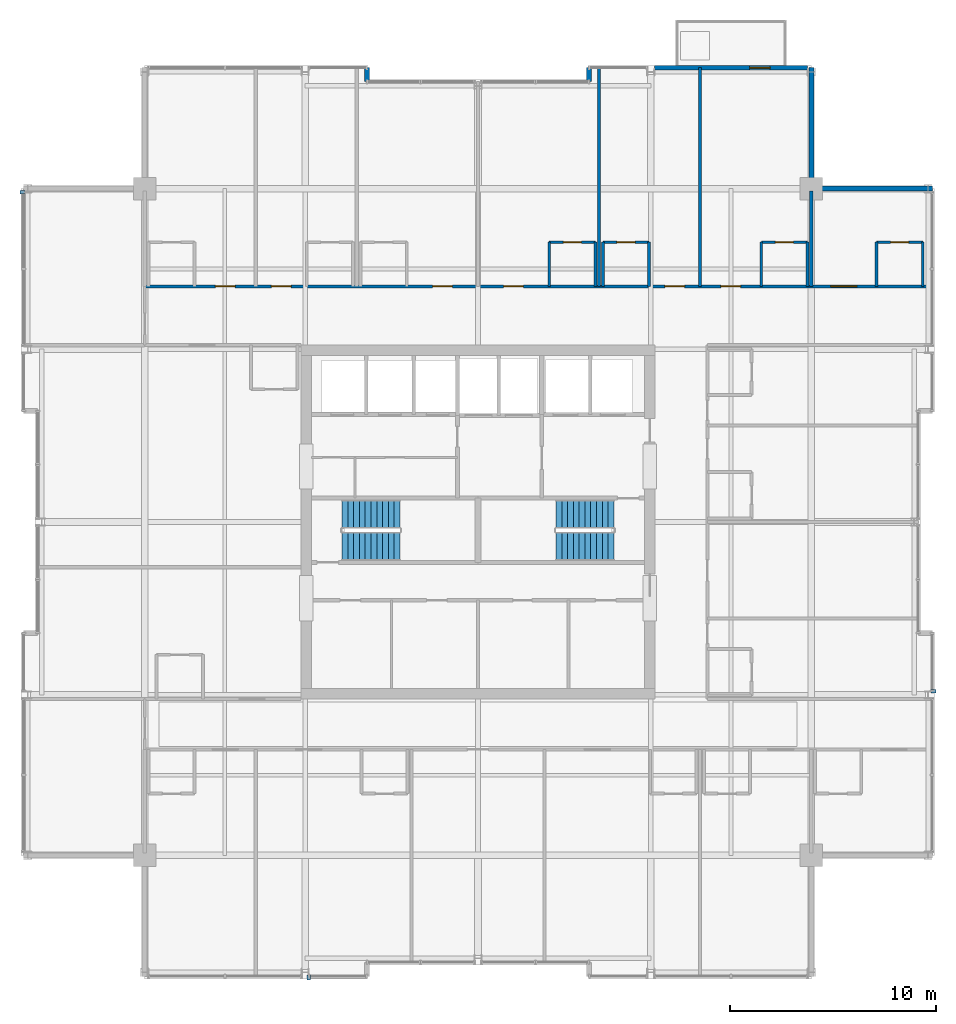
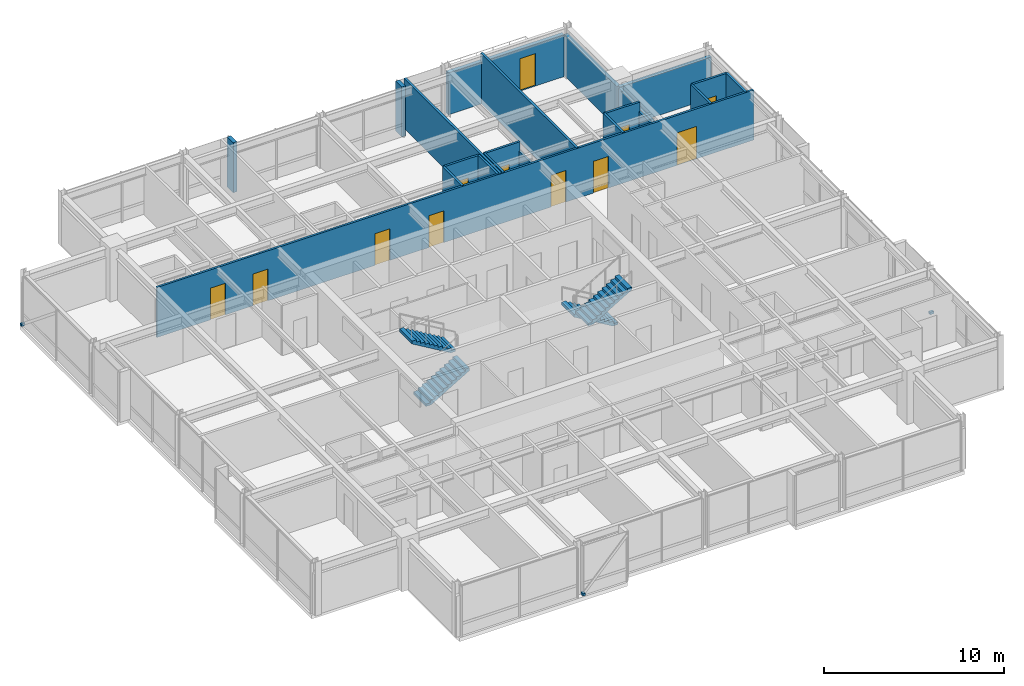
# One storey, part 30 of 33: 21 walls, 12 doors, 4 stair flights, 3 discrete accessories, 12 openings, 2 elements without a shape of their own.
"""IFC4 building model written with IfcOpenShell, lengths in metres."""

from ifc_helpers import new_model, si_unit, direction, frame, frame_2d, origin, origin_2d, place, context, subcontext, project, spatial, polyline, rectangle, outline, extrude, material, layer, layer_set, type_object, element, fill, aggregate, save


model = new_model("IFC4")

# Units and contexts
model_context = context("Model", 3, precision=1e-05, world=origin(), true_north=direction((0.0, 1.0)))
body_context = subcontext(model_context, "Body", "Model", "MODEL_VIEW")
ifc_project = project(units=[si_unit("LENGTHUNIT", "METRE"), si_unit("AREAUNIT", "SQUARE_METRE"), si_unit("VOLUMEUNIT", "CUBIC_METRE"), si_unit("PLANEANGLEUNIT", "RADIAN"), si_unit("MASSUNIT", "GRAM", prefix="KILO")], contexts=[model_context])

# Site, building, storey
site_placement = place(None, origin())
site = spatial("IfcSite", under=ifc_project, at=site_placement, CompositionType="ELEMENT")
building_placement = place(site_placement, origin())
building = spatial("IfcBuilding", under=site, at=building_placement, Name="Drelvath Grand Hotel", CompositionType="ELEMENT")
storey_placement = place(building_placement, frame((0.0, 0.0, 268.64990234375)))
storey = spatial("IfcBuildingStorey", under=building, at=storey_placement, Name="L70", CompositionType="ELEMENT", Elevation=268.64990234375)

# Wall, openings, doors
ifc_material_1 = material(Name="Gypsum Fireboard Partition")
ifc_layer_1 = layer(ifc_material_1, 0.135009765625)
ifc_layer_set_1 = layer_set([ifc_layer_1], Name="Gypsum Fireboard Partition")
wall_type_1 = type_object("IfcWallType", Name="Corridor Fire Barrier Wall 135", PredefinedType="PARTITIONING", material=ifc_layer_set_1)
wall_1_placement = place(storey_placement, frame((-16.199951171875, 38.449951171875, 0.0), z_axis=(0.0, 0.0, 1.0), x_axis=(1.0, 0.0, 0.0)))
wall_1 = element("IfcWall", 1, at=wall_1_placement, inside=storey, type_object=wall_type_1, Name="L70 North Cross-Gallery Wall", PredefinedType="PARTITIONING", context=body_context, shape_type="SweptSolid", body=[
    extrude(rectangle(XDim=38.280029296875, YDim=0.135009765625, at=frame_2d((19.14013671875, 0.0))), origin(), (0.0, 0.0, 1.0), 3.39013671875),
])
opening_1_placement = place(wall_1_placement, frame((33.35498046875, 0.0, 0.0)))
opening_1 = element("IfcOpeningElement", 2, at=opening_1_placement, cuts=wall_1, Name="Opening D-T5G1-025", PredefinedType="OPENING", context=body_context, shape_type="SweptSolid", body=[
    extrude(rectangle(XDim=1.260009765625, YDim=2.199951171875, at=frame_2d((0.6298828125, 1.10009765625))), frame((0.0, 0.077392578125, 0.0), z_axis=(0.0, -1.0, 0.0), x_axis=(1.0, 0.0, 0.0)), (0.0, 0.0, 1.0), 0.155029296875),
])
opening_2_placement = place(wall_1_placement, frame((3.43505859375, 0.0, 0.0)))
opening_2 = element("IfcOpeningElement", 3, at=opening_2_placement, cuts=wall_1, Name="Opening D-T5G1-036", PredefinedType="OPENING", context=body_context, shape_type="SweptSolid", body=[
    extrude(rectangle(XDim=0.9599609375, YDim=2.14990234375, at=frame_2d((0.47998046875, 1.074951171875))), frame((0.0, 0.077392578125, 0.0), z_axis=(0.0, -1.0, 0.0), x_axis=(1.0, 0.0, 0.0)), (0.0, 0.0, 1.0), 0.155029296875),
])
opening_3_placement = place(wall_1_placement, frame((6.15966796875, 0.0, 0.0)))
opening_3 = element("IfcOpeningElement", 4, at=opening_3_placement, cuts=wall_1, Name="Opening D-T5G1-038", PredefinedType="OPENING", context=body_context, shape_type="SweptSolid", body=[
    extrude(rectangle(XDim=0.9599609375, YDim=2.14990234375, at=frame_2d((0.47998046875, 1.074951171875))), frame((0.0, 0.077392578125, 0.0), z_axis=(0.0, -1.0, 0.0), x_axis=(1.0, 0.0, 0.0)), (0.0, 0.0, 1.0), 0.155029296875),
])
opening_4_placement = place(wall_1_placement, frame((13.989501953125, 0.0, 0.0)))
opening_4 = element("IfcOpeningElement", 5, at=opening_4_placement, cuts=wall_1, Name="Opening D-T5G1-040", PredefinedType="OPENING", context=body_context, shape_type="SweptSolid", body=[
    extrude(rectangle(XDim=0.9599609375, YDim=2.14990234375, at=frame_2d((0.47998046875, 1.074951171875))), frame((0.0, 0.077392578125, 0.0), z_axis=(0.0, -1.0, 0.0), x_axis=(1.0, 0.0, 0.0)), (0.0, 0.0, 1.0), 0.155029296875),
])
opening_5_placement = place(wall_1_placement, frame((17.450439453125, 0.0, 0.0)))
opening_5 = element("IfcOpeningElement", 6, at=opening_5_placement, cuts=wall_1, Name="Opening D-T5G1-042", PredefinedType="OPENING", context=body_context, shape_type="SweptSolid", body=[
    extrude(rectangle(XDim=0.9599609375, YDim=2.14990234375, at=frame_2d((0.47998046875, 1.074951171875))), frame((0.0, 0.077392578125, 0.0), z_axis=(0.0, -1.0, 0.0), x_axis=(1.0, 0.0, 0.0)), (0.0, 0.0, 1.0), 0.155029296875),
])
opening_6_placement = place(wall_1_placement, frame((25.280517578125, 0.0, 0.0)))
opening_6 = element("IfcOpeningElement", 7, at=opening_6_placement, cuts=wall_1, Name="Opening D-T5G1-044", PredefinedType="OPENING", context=body_context, shape_type="SweptSolid", body=[
    extrude(rectangle(XDim=0.9599609375, YDim=2.14990234375, at=frame_2d((0.47998046875, 1.074951171875))), frame((0.0, 0.077392578125, 0.0), z_axis=(0.0, -1.0, 0.0), x_axis=(1.0, 0.0, 0.0)), (0.0, 0.0, 1.0), 0.155029296875),
])
opening_7_placement = place(wall_1_placement, frame((28.0048828125, 0.0, 0.0)))
opening_7 = element("IfcOpeningElement", 8, at=opening_7_placement, cuts=wall_1, Name="Opening D-T5G1-046", PredefinedType="OPENING", context=body_context, shape_type="SweptSolid", body=[
    extrude(rectangle(XDim=0.9599609375, YDim=2.14990234375, at=frame_2d((0.47998046875, 1.074951171875))), frame((0.0, 0.077392578125, 0.0), z_axis=(0.0, -1.0, 0.0), x_axis=(1.0, 0.0, 0.0)), (0.0, 0.0, 1.0), 0.155029296875),
])
ifc_material_2 = material(Name="Hardwood Walnut Timber", Category="wood")
door_type_1 = type_object("IfcDoorType", Name="Guestroom Entrance Fire Door 960x2150", OperationType="NOTDEFINED", PredefinedType="DOOR", material=ifc_material_2)
door_1_placement = place(opening_2_placement, origin())
door_1 = element("IfcDoor", 9, at=door_1_placement, inside=storey, type_object=door_type_1, Name="L70 King Guest Room Entry Door", OperationType="SINGLE_SWING_LEFT", OverallHeight=2.14990234375, OverallWidth=0.9599609375, PredefinedType="DOOR", context=body_context, shape_type="SweptSolid", body=[
    extrude(rectangle(XDim=0.9599609375, YDim=2.14990234375, at=frame_2d((0.47998046875, 1.074951171875))), frame((0.0, 0.02490234375, 0.0), z_axis=(0.0, -1.0, 0.0), x_axis=(1.0, 0.0, 0.0)), (0.0, 0.0, 1.0), 0.050048828125),
])
fill(opening_2, door_1)
door_2_placement = place(opening_3_placement, origin())
door_2 = element("IfcDoor", 10, at=door_2_placement, inside=storey, type_object=door_type_1, Name="L70 King Guest Room Entry Door", OperationType="SINGLE_SWING_LEFT", OverallHeight=2.14990234375, OverallWidth=0.9599609375, PredefinedType="DOOR", context=body_context, shape_type="SweptSolid", body=[
    extrude(rectangle(XDim=0.9599609375, YDim=2.14990234375, at=frame_2d((0.47998046875, 1.074951171875))), frame((0.0, 0.02490234375, 0.0), z_axis=(0.0, -1.0, 0.0), x_axis=(1.0, 0.0, 0.0)), (0.0, 0.0, 1.0), 0.050048828125),
])
fill(opening_3, door_2)
door_3_placement = place(opening_4_placement, origin())
door_3 = element("IfcDoor", 11, at=door_3_placement, inside=storey, type_object=door_type_1, Name="L70 King Guest Room Entry Door", OperationType="SINGLE_SWING_LEFT", OverallHeight=2.14990234375, OverallWidth=0.9599609375, PredefinedType="DOOR", context=body_context, shape_type="SweptSolid", body=[
    extrude(rectangle(XDim=0.9599609375, YDim=2.14990234375, at=frame_2d((0.47998046875, 1.074951171875))), frame((0.0, 0.02490234375, 0.0), z_axis=(0.0, -1.0, 0.0), x_axis=(1.0, 0.0, 0.0)), (0.0, 0.0, 1.0), 0.050048828125),
])
fill(opening_4, door_3)
door_4_placement = place(opening_5_placement, origin())
door_4 = element("IfcDoor", 12, at=door_4_placement, inside=storey, type_object=door_type_1, Name="L70 King Guest Room Entry Door", OperationType="SINGLE_SWING_LEFT", OverallHeight=2.14990234375, OverallWidth=0.9599609375, PredefinedType="DOOR", context=body_context, shape_type="SweptSolid", body=[
    extrude(rectangle(XDim=0.9599609375, YDim=2.14990234375, at=frame_2d((0.47998046875, 1.074951171875))), frame((0.0, 0.02490234375, 0.0), z_axis=(0.0, -1.0, 0.0), x_axis=(1.0, 0.0, 0.0)), (0.0, 0.0, 1.0), 0.050048828125),
])
fill(opening_5, door_4)
door_5_placement = place(opening_6_placement, origin())
door_5 = element("IfcDoor", 13, at=door_5_placement, inside=storey, type_object=door_type_1, Name="L70 King Guest Room Entry Door", OperationType="SINGLE_SWING_LEFT", OverallHeight=2.14990234375, OverallWidth=0.9599609375, PredefinedType="DOOR", context=body_context, shape_type="SweptSolid", body=[
    extrude(rectangle(XDim=0.9599609375, YDim=2.14990234375, at=frame_2d((0.47998046875, 1.074951171875))), frame((0.0, 0.02490234375, 0.0), z_axis=(0.0, -1.0, 0.0), x_axis=(1.0, 0.0, 0.0)), (0.0, 0.0, 1.0), 0.050048828125),
])
fill(opening_6, door_5)
door_6_placement = place(opening_7_placement, origin())
door_6 = element("IfcDoor", 14, at=door_6_placement, inside=storey, type_object=door_type_1, Name="L70 King Guest Room Entry Door", OperationType="SINGLE_SWING_LEFT", OverallHeight=2.14990234375, OverallWidth=0.9599609375, PredefinedType="DOOR", context=body_context, shape_type="SweptSolid", body=[
    extrude(rectangle(XDim=0.9599609375, YDim=2.14990234375, at=frame_2d((0.47998046875, 1.074951171875))), frame((0.0, 0.02490234375, 0.0), z_axis=(0.0, -1.0, 0.0), x_axis=(1.0, 0.0, 0.0)), (0.0, 0.0, 1.0), 0.050048828125),
])
fill(opening_7, door_6)
door_type_2 = type_object("IfcDoorType", Name="Suite Entrance Fire Door 1260x2200", OperationType="NOTDEFINED", PredefinedType="DOOR", material=ifc_material_2)
door_7_placement = place(opening_1_placement, origin())
door_7 = element("IfcDoor", 15, at=door_7_placement, inside=storey, type_object=door_type_2, Name="L70 Royal Suite Entry Door", OperationType="SINGLE_SWING_RIGHT", OverallHeight=2.199951171875, OverallWidth=1.260009765625, PredefinedType="DOOR", context=body_context, shape_type="SweptSolid", body=[
    extrude(rectangle(XDim=1.260009765625, YDim=2.199951171875, at=frame_2d((0.6298828125, 1.10009765625))), frame((0.0, 0.02490234375, 0.0), z_axis=(0.0, -1.0, 0.0), x_axis=(1.0, 0.0, 0.0)), (0.0, 0.0, 1.0), 0.050048828125),
])
fill(opening_1, door_7)

# Walls
ifc_material_3 = material(Name="Moisture-Resistant Gypsum Board")
ifc_layer_2 = layer(ifc_material_3, 0.139892578125)
ifc_layer_set_2 = layer_set([ifc_layer_2], Name="Moisture-Resistant Gypsum Board")
wall_type_2 = type_object("IfcWallType", Name="En-Suite Plumbing Wall 140", PredefinedType="PLUMBINGWALL", material=ifc_layer_set_2)
for number, where, z_axis, x_axis, name in (
    (16, (19.3701171875, 38.449951171875, 0.0), (0.0, 0.0, 1.0), (0.0, 1.0, 0.0), "L70 En-Suite Left Wall"),
    (17, (21.6201171875, 38.449951171875, 0.0), (0.0, 0.0, 1.0), (0.0, 1.0, 0.0), "L70 En-Suite Right Wall"),
):
    element("IfcWall", number, at=place(storey_placement, frame(where, z_axis=z_axis, x_axis=x_axis)), inside=storey, type_object=wall_type_2, Name=name, PredefinedType="PLUMBINGWALL", context=body_context, shape_type="SweptSolid", body=[
        extrude(rectangle(XDim=2.150146484375, YDim=0.139892578125, at=frame_2d((1.0751953125, 0.0))), origin(), (0.0, 0.0, 1.0), 3.39013671875),
    ])

# Wall, opening, door
wall_2_placement = place(storey_placement, frame((19.3701171875, 40.60009765625, 0.0), z_axis=(0.0, 0.0, 1.0), x_axis=(1.0, 0.0, 0.0)))
wall_2 = element("IfcWall", 18, at=wall_2_placement, inside=storey, type_object=wall_type_2, Name="L70 En-Suite Front Wall", PredefinedType="PLUMBINGWALL", context=body_context, shape_type="SweptSolid", body=[
    extrude(rectangle(XDim=2.25, YDim=0.139892578125, at=frame_2d((1.125, 0.0))), origin(), (0.0, 0.0, 1.0), 3.39013671875),
])
opening_8_placement = place(wall_2_placement, frame((0.68505859375, 0.0, 0.0)))
opening_8 = element("IfcOpeningElement", 19, at=opening_8_placement, cuts=wall_2, Name="Opening D-T5G1-024", PredefinedType="OPENING", context=body_context, shape_type="SweptSolid", body=[
    extrude(rectangle(XDim=0.8798828125, YDim=2.10009765625, at=frame_2d((0.43994140625, 1.050048828125))), frame((0.0, 0.079833984375, 0.0), z_axis=(0.0, -1.0, 0.0), x_axis=(1.0, 0.0, 0.0)), (0.0, 0.0, 1.0), 0.159912109375),
])
door_type_3 = type_object("IfcDoorType", Name="En-Suite Bathroom Door 880x2100", OperationType="NOTDEFINED", PredefinedType="DOOR", material=ifc_material_2)
door_8_placement = place(opening_8_placement, origin())
door_8 = element("IfcDoor", 20, at=door_8_placement, inside=storey, type_object=door_type_3, Name="L70 En-Suite Bathroom Door", OperationType="SINGLE_SWING_LEFT", OverallHeight=2.10009765625, OverallWidth=0.8798828125, PredefinedType="DOOR", context=body_context, shape_type="SweptSolid", body=[
    extrude(rectangle(XDim=0.8798828125, YDim=2.10009765625, at=frame_2d((0.43994140625, 1.050048828125))), frame((0.0, 0.02490234375, 0.0), z_axis=(0.0, -1.0, 0.0), x_axis=(1.0, 0.0, 0.0)), (0.0, 0.0, 1.0), 0.050048828125),
])
fill(opening_8, door_8)

# Walls
for number, where, z_axis, x_axis, name in (
    (21, (3.4609375, 38.449951171875, 0.0), (0.0, 0.0, 1.0), (0.0, 1.0, 0.0), "L70 En-Suite Left Wall"),
    (22, (5.7109375, 38.449951171875, 0.0), (0.0, 0.0, 1.0), (0.0, 1.0, 0.0), "L70 En-Suite Right Wall"),
):
    element("IfcWall", number, at=place(storey_placement, frame(where, z_axis=z_axis, x_axis=x_axis)), inside=storey, type_object=wall_type_2, Name=name, PredefinedType="PLUMBINGWALL", context=body_context, shape_type="SweptSolid", body=[
        extrude(rectangle(XDim=2.150146484375, YDim=0.139892578125, at=frame_2d((1.0751953125, 0.0))), origin(), (0.0, 0.0, 1.0), 3.39013671875),
    ])

# Wall, opening, door
wall_3_placement = place(storey_placement, frame((3.4609375, 40.60009765625, 0.0), z_axis=(0.0, 0.0, 1.0), x_axis=(1.0, 0.0, 0.0)))
wall_3 = element("IfcWall", 23, at=wall_3_placement, inside=storey, type_object=wall_type_2, Name="L70 En-Suite Front Wall", PredefinedType="PLUMBINGWALL", context=body_context, shape_type="SweptSolid", body=[
    extrude(rectangle(XDim=2.25, YDim=0.139892578125, at=frame_2d((1.125, 0.0))), origin(), (0.0, 0.0, 1.0), 3.39013671875),
])
opening_9_placement = place(wall_3_placement, frame((0.68505859375, 0.0, 0.0)))
opening_9 = element("IfcOpeningElement", 24, at=opening_9_placement, cuts=wall_3, Name="Opening D-T5G1-041", PredefinedType="OPENING", context=body_context, shape_type="SweptSolid", body=[
    extrude(rectangle(XDim=0.8798828125, YDim=2.10009765625, at=frame_2d((0.43994140625, 1.050048828125))), frame((0.0, 0.079833984375, 0.0), z_axis=(0.0, -1.0, 0.0), x_axis=(1.0, 0.0, 0.0)), (0.0, 0.0, 1.0), 0.159912109375),
])
door_9_placement = place(opening_9_placement, origin())
door_9 = element("IfcDoor", 25, at=door_9_placement, inside=storey, type_object=door_type_3, Name="L70 En-Suite Bathroom Door", OperationType="SINGLE_SWING_RIGHT", OverallHeight=2.10009765625, OverallWidth=0.8798828125, PredefinedType="DOOR", context=body_context, shape_type="SweptSolid", body=[
    extrude(rectangle(XDim=0.8798828125, YDim=2.10009765625, at=frame_2d((0.43994140625, 1.050048828125))), frame((0.0, 0.02490234375, 0.0), z_axis=(0.0, -1.0, 0.0), x_axis=(1.0, 0.0, 0.0)), (0.0, 0.0, 1.0), 0.050048828125),
])
fill(opening_9, door_9)

# Walls
wall_4_placement = place(storey_placement, frame((6.07080078125, 38.449951171875, 0.0), z_axis=(0.0, 0.0, 1.0), x_axis=(0.0, 1.0, 0.0)))
element("IfcWall", 26, at=wall_4_placement, inside=storey, type_object=wall_type_2, Name="L70 En-Suite Left Wall", PredefinedType="PLUMBINGWALL", context=body_context, shape_type="SweptSolid", body=[
    extrude(rectangle(XDim=2.150146484375, YDim=0.139892578125, at=frame_2d((1.0751953125, 0.0))), origin(), (0.0, 0.0, 1.0), 3.39013671875),
])
wall_5_placement = place(storey_placement, frame((8.32080078125, 38.449951171875, 0.0), z_axis=(0.0, 0.0, 1.0), x_axis=(0.0, 1.0, 0.0)))
element("IfcWall", 27, at=wall_5_placement, inside=storey, type_object=wall_type_2, Name="L70 En-Suite Right Wall", PredefinedType="PLUMBINGWALL", context=body_context, shape_type="SweptSolid", body=[
    extrude(rectangle(XDim=2.150146484375, YDim=0.139892578125, at=frame_2d((1.0751953125, 0.0))), origin(), (0.0, 0.0, 1.0), 2.767578125),
])

# Wall, opening, door
wall_6_placement = place(storey_placement, frame((6.07080078125, 40.60009765625, 0.0), z_axis=(0.0, 0.0, 1.0), x_axis=(1.0, 0.0, 0.0)))
wall_6 = element("IfcWall", 28, at=wall_6_placement, inside=storey, type_object=wall_type_2, Name="L70 En-Suite Front Wall", PredefinedType="PLUMBINGWALL", context=body_context, shape_type="SweptSolid", body=[
    extrude(rectangle(XDim=2.25, YDim=0.139892578125, at=frame_2d((1.125, 0.0))), origin(), (0.0, 0.0, 1.0), 3.39013671875),
])
opening_10_placement = place(wall_6_placement, frame((0.68505859375, 0.0, 0.0)))
opening_10 = element("IfcOpeningElement", 29, at=opening_10_placement, cuts=wall_6, Name="Opening D-T5G1-043", PredefinedType="OPENING", context=body_context, shape_type="SweptSolid", body=[
    extrude(rectangle(XDim=0.8798828125, YDim=2.10009765625, at=frame_2d((0.43994140625, 1.050048828125))), frame((0.0, 0.079833984375, 0.0), z_axis=(0.0, -1.0, 0.0), x_axis=(1.0, 0.0, 0.0)), (0.0, 0.0, 1.0), 0.159912109375),
])
door_10_placement = place(opening_10_placement, origin())
door_10 = element("IfcDoor", 30, at=door_10_placement, inside=storey, type_object=door_type_3, Name="L70 En-Suite Bathroom Door", OperationType="SINGLE_SWING_RIGHT", OverallHeight=2.10009765625, OverallWidth=0.8798828125, PredefinedType="DOOR", context=body_context, shape_type="SweptSolid", body=[
    extrude(rectangle(XDim=0.8798828125, YDim=2.10009765625, at=frame_2d((0.43994140625, 1.050048828125))), frame((0.0, 0.02490234375, 0.0), z_axis=(0.0, -1.0, 0.0), x_axis=(1.0, 0.0, 0.0)), (0.0, 0.0, 1.0), 0.050048828125),
])
fill(opening_10, door_10)

# Walls
wall_7_placement = place(storey_placement, frame((13.77001953125, 38.449951171875, 0.0), z_axis=(0.0, 0.0, 1.0), x_axis=(0.0, 1.0, 0.0)))
element("IfcWall", 31, at=wall_7_placement, inside=storey, type_object=wall_type_2, Name="L70 En-Suite Left Wall", PredefinedType="PLUMBINGWALL", context=body_context, shape_type="SweptSolid", body=[
    extrude(rectangle(XDim=2.150146484375, YDim=0.139892578125, at=frame_2d((1.0751953125, 0.0))), origin(), (0.0, 0.0, 1.0), 3.39013671875),
])
wall_8_placement = place(storey_placement, frame((16.02001953125, 38.449951171875, 0.0), z_axis=(0.0, 0.0, 1.0), x_axis=(0.0, 1.0, 0.0)))
element("IfcWall", 32, at=wall_8_placement, inside=storey, type_object=wall_type_2, Name="L70 En-Suite Right Wall", PredefinedType="PLUMBINGWALL", context=body_context, shape_type="SweptSolid", body=[
    extrude(rectangle(XDim=2.150146484375, YDim=0.139892578125, at=frame_2d((1.0751953125, 0.0))), origin(), (0.0, 0.0, 1.0), 2.76416015625),
])

# Wall, opening, door
wall_9_placement = place(storey_placement, frame((13.77001953125, 40.60009765625, 0.0), z_axis=(0.0, 0.0, 1.0), x_axis=(1.0, 0.0, 0.0)))
wall_9 = element("IfcWall", 33, at=wall_9_placement, inside=storey, type_object=wall_type_2, Name="L70 En-Suite Front Wall", PredefinedType="PLUMBINGWALL", context=body_context, shape_type="SweptSolid", body=[
    extrude(rectangle(XDim=2.25, YDim=0.139892578125, at=frame_2d((1.125, 0.0))), origin(), (0.0, 0.0, 1.0), 3.39013671875),
])
opening_11_placement = place(wall_9_placement, frame((0.68505859375, 0.0, 0.0)))
opening_11 = element("IfcOpeningElement", 34, at=opening_11_placement, cuts=wall_9, Name="Opening D-T5G1-045", PredefinedType="OPENING", context=body_context, shape_type="SweptSolid", body=[
    extrude(rectangle(XDim=0.8798828125, YDim=2.10009765625, at=frame_2d((0.43994140625, 1.050048828125))), frame((0.0, 0.079833984375, 0.0), z_axis=(0.0, -1.0, 0.0), x_axis=(1.0, 0.0, 0.0)), (0.0, 0.0, 1.0), 0.159912109375),
])
door_11_placement = place(opening_11_placement, origin())
door_11 = element("IfcDoor", 35, at=door_11_placement, inside=storey, type_object=door_type_3, Name="L70 En-Suite Bathroom Door", OperationType="SINGLE_SWING_RIGHT", OverallHeight=2.10009765625, OverallWidth=0.8798828125, PredefinedType="DOOR", context=body_context, shape_type="SweptSolid", body=[
    extrude(rectangle(XDim=0.8798828125, YDim=2.10009765625, at=frame_2d((0.43994140625, 1.050048828125))), frame((0.0, 0.02490234375, 0.0), z_axis=(0.0, -1.0, 0.0), x_axis=(1.0, 0.0, 0.0)), (0.0, 0.0, 1.0), 0.050048828125),
])
fill(opening_11, door_11)

# Walls
ifc_material_4 = material(Name="Gypsum Acoustic Partition")
ifc_layer_3 = layer(ifc_material_4, 0.14990234375)
ifc_layer_set_3 = layer_set([ifc_layer_3], Name="Gypsum Acoustic Partition")
wall_type_3 = type_object("IfcWallType", Name="Guestroom Demising Wall 150", PredefinedType="PARTITIONING", material=ifc_layer_set_3)
for number, where, z_axis, x_axis, name in (
    (36, (5.890869140625, 38.449951171875, 0.0), (0.0, 0.0, 1.0), (0.0, 1.0, 0.0), "L70 North Demising 4"),
    (37, (10.800048828125, 38.449951171875, 0.0), (0.0, 0.0, 1.0), (0.0, 1.0, 0.0), "L70 North Demising 5"),
):
    element("IfcWall", number, at=place(storey_placement, frame(where, z_axis=z_axis, x_axis=x_axis)), inside=storey, type_object=wall_type_3, Name=name, PredefinedType="PARTITIONING", context=body_context, shape_type="SweptSolid", body=[
        extrude(rectangle(XDim=10.630126953125, YDim=0.14990234375, at=frame_2d((5.31494140625, 0.0))), origin(), (0.0, 0.0, 1.0), 3.39013671875),
    ])
ifc_layer_4 = layer(ifc_material_4, 0.1650390625)
ifc_layer_set_4 = layer_set([ifc_layer_4], Name="Gypsum Acoustic Partition")
wall_type_4 = type_object("IfcWallType", Name="Suite Demising Wall 165", PredefinedType="PARTITIONING", material=ifc_layer_set_4)
wall_10_placement = place(storey_placement, frame((16.199951171875, 38.449951171875, 0.0), z_axis=(0.0, 0.0, 1.0), x_axis=(0.0, 1.0, 0.0)))
element("IfcWall", 38, at=wall_10_placement, inside=storey, type_object=wall_type_4, Name="L70 NE Suite Wall", PredefinedType="PARTITIONING", context=body_context, shape_type="SweptSolid", body=[
    extrude(rectangle(XDim=4.630126953125, YDim=0.1650390625, at=frame_2d((2.31494140625, 0.0))), origin(), (0.0, 0.0, 1.0), 2.76416015625),
])

# Wall, opening, door
ifc_material_5 = material(Name="Pale-Metal Insulated Aluminium Spandrel Assembly", Category="aluminium")
ifc_layer_5 = layer(ifc_material_5, 0.239990234375)
ifc_layer_set_5 = layer_set([ifc_layer_5], Name="Pale-Metal Insulated Aluminium Spandrel Assembly")
wall_type_5 = type_object("IfcWallType", Name="Tower Insulated Metal Spandrel Closure Wall 240", PredefinedType="STANDARD", material=ifc_layer_set_5)
wall_11_placement = place(storey_placement, frame((8.578125, 49.080078125, 0.0), z_axis=(0.0, 0.0, 1.0), x_axis=(1.0, 0.0, 0.0)))
wall_11 = element("IfcWall", 39, at=wall_11_placement, inside=storey, type_object=wall_type_5, Name="L70 Exterior Terrace Door Bay Wall NE2", PredefinedType="STANDARD", context=body_context, shape_type="SweptSolid", body=[
    extrude(rectangle(XDim=7.443603515625, YDim=0.239990234375, at=frame_2d((3.7216796875, 0.0))), origin(), (0.0, 0.0, 1.0), 2.853515625),
])
opening_12_placement = place(wall_11_placement, frame((4.621826171875, 0.0, 0.0)))
opening_12 = element("IfcOpeningElement", 40, at=opening_12_placement, cuts=wall_11, Name="Opening TD-1000", PredefinedType="OPENING", context=body_context, shape_type="SweptSolid", body=[
    extrude(rectangle(XDim=1.0, YDim=2.199951171875, at=frame_2d((0.5, 1.10009765625))), frame((0.0, 0.1298828125, 0.0), z_axis=(0.0, -1.0, 0.0), x_axis=(1.0, 0.0, 0.0)), (0.0, 0.0, 1.0), 0.260009765625),
])
ifc_material_6 = material(Name="Anodised Aluminium Thermally Broken Glazed Door", Category="aluminium")
door_type_4 = type_object("IfcDoorType", Name="Terrace and Tree Balcony Glazed Door 1000x2200", OperationType="NOTDEFINED", PredefinedType="DOOR", material=ifc_material_6)
door_12_placement = place(opening_12_placement, origin())
door_12 = element("IfcDoor", 41, at=door_12_placement, inside=storey, type_object=door_type_4, Name="L70 Tree Balcony Door DOOR-L70-TBAL-1", OperationType="SINGLE_SWING_RIGHT", OverallHeight=2.199951171875, OverallWidth=1.0, PredefinedType="DOOR", context=body_context, shape_type="SweptSolid", body=[
    extrude(rectangle(XDim=1.0, YDim=2.199951171875, at=frame_2d((0.5, 1.10009765625))), frame((0.0, 0.02490234375, 0.0), z_axis=(0.0, -1.0, 0.0), x_axis=(1.0, 0.0, 0.0)), (0.0, 0.0, 1.0), 0.050048828125),
])
fill(opening_12, door_12)

# Walls
for number, where, z_axis, x_axis, name in (
    (42, (16.199951171875, 49.080078125, 0.0), (0.0, 0.0, 1.0), (0.0, -1.0, 0.0), "L70 Notched Corner Return Spandrel Wall CNE1"),
    (43, (16.199951171875, 43.199951171875, 0.0), (0.0, 0.0, 1.0), (1.0, 0.0, 0.0), "L70 Notched Corner Return Spandrel Wall CNE2"),
):
    element("IfcWall", number, at=place(storey_placement, frame(where, z_axis=z_axis, x_axis=x_axis)), inside=storey, type_object=wall_type_5, Name=name, PredefinedType="STANDARD", context=body_context, shape_type="SweptSolid", body=[
        extrude(rectangle(XDim=5.880126953125, YDim=0.239990234375, at=frame_2d((2.93994140625, 0.0))), origin(), (0.0, 0.0, 1.0), 2.779052734375),
    ])
for number, where, z_axis, x_axis, name in (
    (44, (-5.39990234375, 49.080078125, 0.0), (0.0, 0.0, 1.0), (0.0, -1.0, 0.0), "L70 Notched Corner Return Spandrel Wall RN1"),
    (45, (5.39990234375, 48.39990234375, 0.0), (0.0, 0.0, 1.0), (0.0, 1.0, 0.0), "L70 Notched Corner Return Spandrel Wall RN2"),
):
    element("IfcWall", number, at=place(storey_placement, frame(where, z_axis=z_axis, x_axis=x_axis)), inside=storey, type_object=wall_type_5, Name=name, PredefinedType="STANDARD", context=body_context, shape_type="SweptSolid", body=[
        extrude(rectangle(XDim=0.68017578125, YDim=0.239990234375, at=frame_2d((0.340087890625, 0.0))), origin(), (0.0, 0.0, 1.0), 3.39013671875),
    ])

# Stair, stair flights
ifc_material_7 = material(Name="Concrete C40/50", Category="concrete")
stair_type = type_object("IfcStairType", Name="Dogleg Exit Stair W1400-R165.9", PredefinedType="HALF_TURN_STAIR", material=ifc_material_7)
stair_1_placement = place(storey_placement, origin())
stair_1 = element("IfcStair", 46, at=stair_1_placement, inside=storey, type_object=stair_type, Name="L70 Core Exit Stair ST-1", PredefinedType="HALF_TURN_STAIR")
stair_flight_type = type_object("IfcStairFlightType", Name="Concrete Stair Flight W1400-R165.9", PredefinedType="STRAIGHT", material=ifc_material_7)
stair_flight_1_placement = place(storey_placement, frame((-6.60009765625, 25.820068359375, 0.0), z_axis=(0.0, 0.0, 1.0), x_axis=(1.0, 0.0, 0.0)))
stair_flight_1 = element("IfcStairFlight", 47, at=stair_flight_1_placement, type_object=stair_flight_type, Name="ST-1 flight 1", NumberOfRisers=11, NumberOfTreads=10, PredefinedType="STRAIGHT", RiserHeight=0.165909091, TreadLength=0.28, context=body_context, shape_type="SweptSolid", body=[
    extrude(outline(polyline([(0.0, 0.0), (0.0, 0.166015625), (0.280029296875, 0.166015625), (0.280029296875, 0.331787109375), (0.56005859375, 0.331787109375), (0.56005859375, 0.497802734375), (0.840087890625, 0.497802734375), (0.840087890625, 0.66357421875), (1.1201171875, 0.66357421875), (1.1201171875, 0.82958984375), (1.39990234375, 0.82958984375), (1.39990234375, 0.995361328125), (1.679931640625, 0.995361328125), (1.679931640625, 1.161376953125), (1.9599609375, 1.161376953125), (1.9599609375, 1.327392578125), (2.239990234375, 1.327392578125), (2.239990234375, 1.4931640625), (2.52001953125, 1.4931640625), (2.52001953125, 1.6591796875), (2.800048828125, 1.6591796875), (2.800048828125, 1.824951171875), (2.800048828125, 1.47314453125), (0.313720703125, 0.0), (0.0, 0.0)])), frame((0.0, 0.699951171875, 0.0), z_axis=(0.0, -1.0, 0.0), x_axis=(1.0, 0.0, 0.0)), (0.0, 0.0, 1.0), 1.39990234375),
])
stair_flight_2_placement = place(storey_placement, frame((-3.800048828125, 27.3798828125, 1.8251953125), z_axis=(0.0, 0.0, 1.0), x_axis=(-1.0, 0.0, 0.0)))
stair_flight_2 = element("IfcStairFlight", 48, at=stair_flight_2_placement, type_object=stair_flight_type, Name="ST-1 flight 2", NumberOfRisers=11, NumberOfTreads=10, PredefinedType="STRAIGHT", RiserHeight=0.165909091, TreadLength=0.28, context=body_context, shape_type="SweptSolid", body=[
    extrude(outline(polyline([(0.0, 0.0), (0.0, 0.166015625), (0.280029296875, 0.166015625), (0.280029296875, 0.331787109375), (0.56005859375, 0.331787109375), (0.56005859375, 0.497802734375), (0.840087890625, 0.497802734375), (0.840087890625, 0.66357421875), (1.1201171875, 0.66357421875), (1.1201171875, 0.82958984375), (1.39990234375, 0.82958984375), (1.39990234375, 0.995361328125), (1.679931640625, 0.995361328125), (1.679931640625, 1.161376953125), (1.9599609375, 1.161376953125), (1.9599609375, 1.327392578125), (2.239990234375, 1.327392578125), (2.239990234375, 1.4931640625), (2.52001953125, 1.4931640625), (2.52001953125, 1.6591796875), (2.800048828125, 1.6591796875), (2.800048828125, 1.824951171875), (2.800048828125, 1.47314453125), (0.313720703125, 0.0), (0.0, 0.0)])), frame((0.0, 0.699951171875, 0.0), z_axis=(0.0, -1.0, 0.0), x_axis=(1.0, 0.0, 0.0)), (0.0, 0.0, 1.0), 1.39990234375),
])
aggregate(stair_1, [stair_flight_1, stair_flight_2])

stair_2_placement = place(storey_placement, origin())
stair_2 = element("IfcStair", 49, at=stair_2_placement, inside=storey, type_object=stair_type, Name="L70 Core Exit Stair ST-2", PredefinedType="HALF_TURN_STAIR")
stair_flight_3_placement = place(storey_placement, frame((6.60009765625, 27.3798828125, 0.0), z_axis=(0.0, 0.0, 1.0), x_axis=(-1.0, 0.0, 0.0)))
stair_flight_3 = element("IfcStairFlight", 50, at=stair_flight_3_placement, type_object=stair_flight_type, Name="ST-2 flight 1", NumberOfRisers=11, NumberOfTreads=10, PredefinedType="STRAIGHT", RiserHeight=0.165909091, TreadLength=0.28, context=body_context, shape_type="SweptSolid", body=[
    extrude(outline(polyline([(0.0, 0.0), (0.0, 0.166015625), (0.280029296875, 0.166015625), (0.280029296875, 0.331787109375), (0.56005859375, 0.331787109375), (0.56005859375, 0.497802734375), (0.840087890625, 0.497802734375), (0.840087890625, 0.66357421875), (1.1201171875, 0.66357421875), (1.1201171875, 0.82958984375), (1.39990234375, 0.82958984375), (1.39990234375, 0.995361328125), (1.679931640625, 0.995361328125), (1.679931640625, 1.161376953125), (1.9599609375, 1.161376953125), (1.9599609375, 1.327392578125), (2.239990234375, 1.327392578125), (2.239990234375, 1.4931640625), (2.52001953125, 1.4931640625), (2.52001953125, 1.6591796875), (2.800048828125, 1.6591796875), (2.800048828125, 1.824951171875), (2.800048828125, 1.47314453125), (0.313720703125, 0.0), (0.0, 0.0)])), frame((0.0, 0.699951171875, 0.0), z_axis=(0.0, -1.0, 0.0), x_axis=(1.0, 0.0, 0.0)), (0.0, 0.0, 1.0), 1.39990234375),
])
stair_flight_4_placement = place(storey_placement, frame((3.800048828125, 25.820068359375, 1.8251953125), z_axis=(0.0, 0.0, 1.0), x_axis=(1.0, 0.0, 0.0)))
stair_flight_4 = element("IfcStairFlight", 51, at=stair_flight_4_placement, type_object=stair_flight_type, Name="ST-2 flight 2", NumberOfRisers=11, NumberOfTreads=10, PredefinedType="STRAIGHT", RiserHeight=0.165909091, TreadLength=0.28, context=body_context, shape_type="SweptSolid", body=[
    extrude(outline(polyline([(0.0, 0.0), (0.0, 0.166015625), (0.280029296875, 0.166015625), (0.280029296875, 0.331787109375), (0.56005859375, 0.331787109375), (0.56005859375, 0.497802734375), (0.840087890625, 0.497802734375), (0.840087890625, 0.66357421875), (1.1201171875, 0.66357421875), (1.1201171875, 0.82958984375), (1.39990234375, 0.82958984375), (1.39990234375, 0.995361328125), (1.679931640625, 0.995361328125), (1.679931640625, 1.161376953125), (1.9599609375, 1.161376953125), (1.9599609375, 1.327392578125), (2.239990234375, 1.327392578125), (2.239990234375, 1.4931640625), (2.52001953125, 1.4931640625), (2.52001953125, 1.6591796875), (2.800048828125, 1.6591796875), (2.800048828125, 1.824951171875), (2.800048828125, 1.47314453125), (0.313720703125, 0.0), (0.0, 0.0)])), frame((0.0, 0.699951171875, 0.0), z_axis=(0.0, -1.0, 0.0), x_axis=(1.0, 0.0, 0.0)), (0.0, 0.0, 1.0), 1.39990234375),
])
aggregate(stair_2, [stair_flight_3, stair_flight_4])

# Discrete accessories
ifc_material_8 = material(Name="Stainless Steel Grade 316", Category="steel")
discrete_accessory_type = type_object("IfcDiscreteAccessoryType", Name="Curtain Wall Fin Mounting Bracket Cleat", PredefinedType="BRACKET", material=ifc_material_8)
for number, where, z_axis, x_axis, name in (
    (52, (-22.139892578125, 43.021728515625, 0.10009765625), (0.0, 0.0, 1.0), (0.0, 1.0, 0.0), "L70 Fin Mounting Bracket CW05-L70-WN2-1"),
    (53, (22.139892578125, 18.7783203125, 0.10009765625), (0.0, 0.0, 1.0), (0.0, -1.0, 0.0), "L70 Fin Mounting Bracket CW05-L70-ES2-1"),
    (54, (-8.2216796875, 4.860107421875, 0.10009765625), (0.0, 0.0, 1.0), (-1.0, 0.0, 0.0), "L70 Fin Mounting Bracket CW05-L70-SW2-1"),
):
    element("IfcDiscreteAccessory", number, at=place(storey_placement, frame(where, z_axis=z_axis, x_axis=x_axis)), inside=storey, type_object=discrete_accessory_type, Name=name, PredefinedType="BRACKET", context=body_context, shape_type="SweptSolid", body=[
        extrude(rectangle(XDim=0.159912109375, YDim=0.239990234375, at=origin_2d()), origin(), (0.0, 0.0, 1.0), 0.159912109375),
    ])

save(model, "model.ifc")
